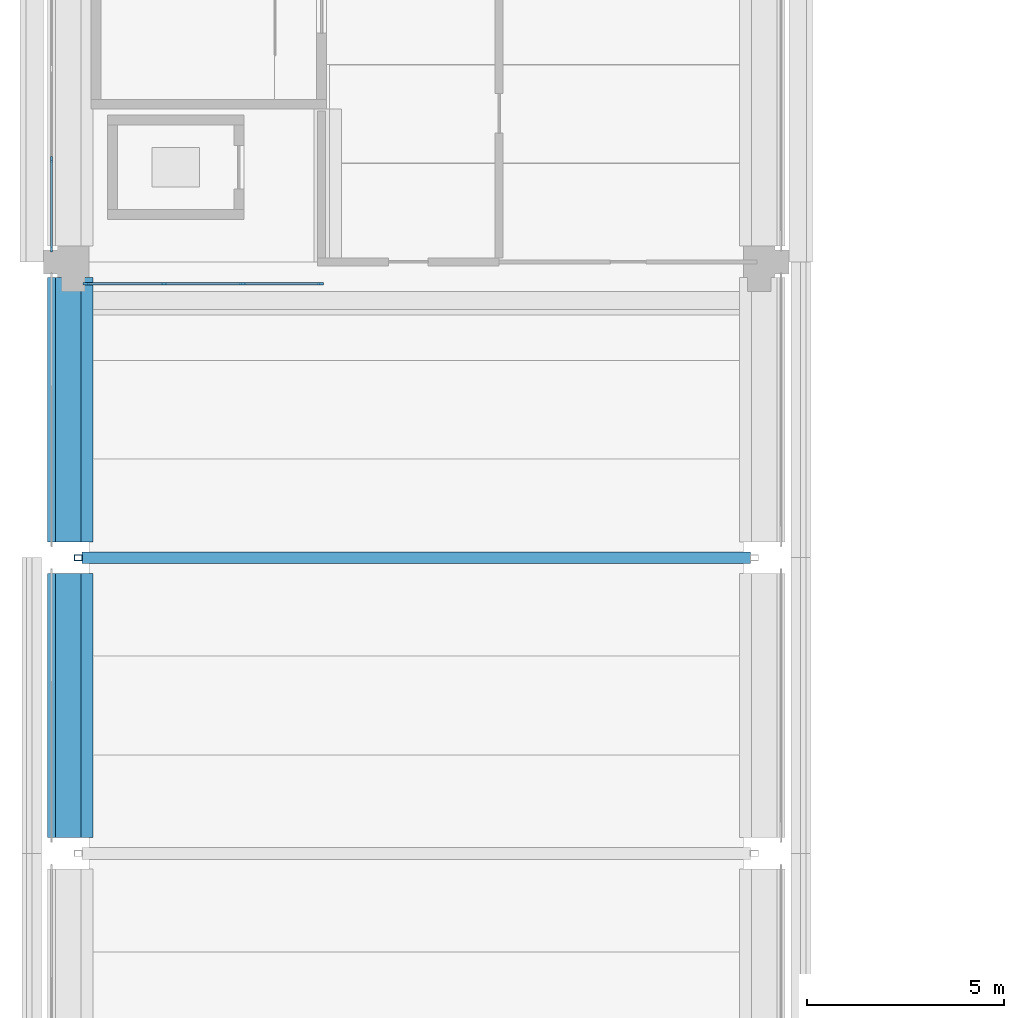
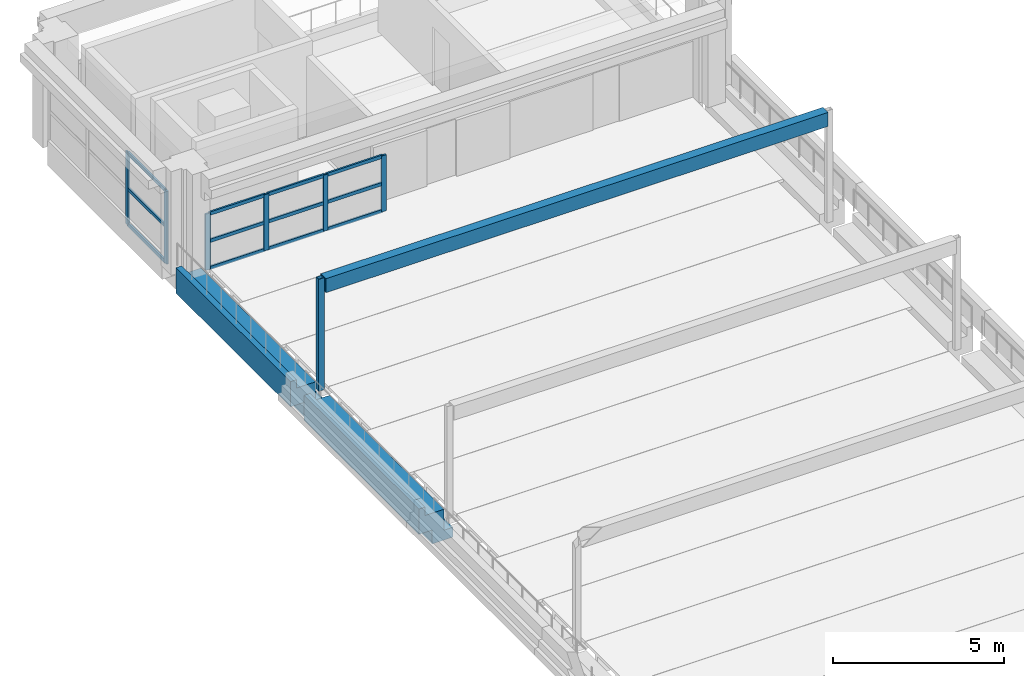
# One storey, part 20 of 62: 19 members, 3 beams, 2 elements without a shape of their own.
"""IFC4 building model written with IfcOpenShell, lengths in metres."""

from ifc_helpers import new_model, si_unit, direction, frame, origin, origin_2d, place, context, subcontext, project, spatial, polyline, rectangle, hollow_rectangle, outline, extrude, material, layer, layer_set, material_profile, profile_set, type_object, element, aggregate, save


model = new_model("IFC4")

# Units and contexts
model_context = context("Model", 3, precision=1e-05, world=origin(), true_north=direction((0.0, 1.0)))
body_context = subcontext(model_context, "Body", "Model", "MODEL_VIEW")
ifc_project = project(units=[si_unit("LENGTHUNIT", "METRE"), si_unit("AREAUNIT", "SQUARE_METRE"), si_unit("VOLUMEUNIT", "CUBIC_METRE"), si_unit("PLANEANGLEUNIT", "RADIAN"), si_unit("MASSUNIT", "GRAM", prefix="KILO")], contexts=[model_context])

# Site, building, storey
site_placement = place(None, origin())
site = spatial("IfcSite", under=ifc_project, at=site_placement, CompositionType="ELEMENT")
building_placement = place(site_placement, origin())
building = spatial("IfcBuilding", under=site, at=building_placement, Name="Cour d'Honneur Mobility Palace", CompositionType="ELEMENT")
storey_placement = place(building_placement, frame((0.0, 0.0, 19.300048828125)))
storey = spatial("IfcBuildingStorey", under=building, at=storey_placement, Name="L05", CompositionType="ELEMENT", Elevation=19.300048828125)

# Curtain wall, members
ifc_material_1 = material(Name="Aluminium and glass", Category="aluminium")
ifc_layer = layer(ifc_material_1, 0.10009765625)
ifc_layer_set = layer_set([ifc_layer], Name="Aluminium and glass")
curtain_wall_type = type_object("IfcCurtainWallType", Name="Curtain wall run", PredefinedType="NOTDEFINED", material=ifc_layer_set)
curtain_wall_1_placement = place(storey_placement, origin())
curtain_wall_1 = element("IfcCurtainWall", 1, at=curtain_wall_1_placement, inside=storey, type_object=curtain_wall_type, Name="Curtain wall CW-133", PredefinedType="NOTDEFINED")
ifc_material_2 = material(Name="Aluminium", Category="aluminium")
ifc_material_profile_1 = material_profile(ifc_material_2, rectangle(XDim=0.06005859375, YDim=0.159912109375, at=origin_2d()), Name="Curtain wall mullion")
ifc_profile_set_1 = profile_set([ifc_material_profile_1], Name="Aluminium")
member_type_1 = type_object("IfcMemberType", Name="Curtain wall mullion", PredefinedType="MULLION", material=ifc_profile_set_1)
member_1_placement = place(storey_placement, frame((-0.550048828125, 110.0, 0.0), z_axis=(0.0, 0.0, 1.0), x_axis=(1.0, 0.0, 0.0)))
member_1 = element("IfcMember", 2, at=member_1_placement, type_object=member_type_1, Name="CW-133 mullion 3", PredefinedType="MULLION", context=body_context, shape_type="SweptSolid", body=[
    extrude(rectangle(XDim=0.06005859375, YDim=0.159912109375, at=origin_2d()), origin(), (0.0, 0.0, 1.0), 2.599853515625),
])
member_2_placement = place(storey_placement, frame((-0.550048828125, 107.72998046875, 0.0), z_axis=(0.0, 0.0, 1.0), x_axis=(1.0, 0.0, 0.0)))
member_2 = element("IfcMember", 3, at=member_2_placement, type_object=member_type_1, Name="CW-133 mullion 4", PredefinedType="MULLION", context=body_context, shape_type="SweptSolid", body=[
    extrude(rectangle(XDim=0.06005859375, YDim=0.159912109375, at=origin_2d()), origin(), (0.0, 0.0, 1.0), 2.599853515625),
])

curtain_wall_2_placement = place(storey_placement, origin())
curtain_wall_2 = element("IfcCurtainWall", 4, at=curtain_wall_2_placement, inside=storey, type_object=curtain_wall_type, Name="Curtain wall CW-134", PredefinedType="NOTDEFINED")
member_3_placement = place(storey_placement, frame((0.330078125, 106.85009765625, 0.0), z_axis=(0.0, 0.0, 1.0), x_axis=(0.0, 1.0, 0.0)))
member_3 = element("IfcMember", 5, at=member_3_placement, type_object=member_type_1, Name="CW-134 mullion 1", PredefinedType="MULLION", context=body_context, shape_type="SweptSolid", body=[
    extrude(rectangle(XDim=0.06005859375, YDim=0.159912109375, at=origin_2d()), origin(), (0.0, 0.0, 1.0), 2.0),
])
member_4_placement = place(storey_placement, frame((2.300048828125, 106.85009765625, 0.0), z_axis=(0.0, 0.0, 1.0), x_axis=(0.0, 1.0, 0.0)))
member_4 = element("IfcMember", 6, at=member_4_placement, type_object=member_type_1, Name="CW-134 mullion 2", PredefinedType="MULLION", context=body_context, shape_type="SweptSolid", body=[
    extrude(rectangle(XDim=0.06005859375, YDim=0.159912109375, at=origin_2d()), origin(), (0.0, 0.0, 1.0), 2.0),
])
member_5_placement = place(storey_placement, frame((4.300048828125, 106.85009765625, 0.0), z_axis=(0.0, 0.0, 1.0), x_axis=(0.0, 1.0, 0.0)))
member_5 = element("IfcMember", 7, at=member_5_placement, type_object=member_type_1, Name="CW-134 mullion 3", PredefinedType="MULLION", context=body_context, shape_type="SweptSolid", body=[
    extrude(rectangle(XDim=0.06005859375, YDim=0.159912109375, at=origin_2d()), origin(), (0.0, 0.0, 1.0), 2.0),
])
member_6_placement = place(storey_placement, frame((6.27001953125, 106.85009765625, 0.0), z_axis=(0.0, 0.0, 1.0), x_axis=(0.0, 1.0, 0.0)))
member_6 = element("IfcMember", 8, at=member_6_placement, type_object=member_type_1, Name="CW-134 mullion 4", PredefinedType="MULLION", context=body_context, shape_type="SweptSolid", body=[
    extrude(rectangle(XDim=0.06005859375, YDim=0.159912109375, at=origin_2d()), origin(), (0.0, 0.0, 1.0), 2.0),
])

# Member
ifc_material_3 = material(Name="Aluminium", Category="aluminium")
ifc_material_profile_2 = material_profile(ifc_material_3, rectangle(XDim=0.06005859375, YDim=0.1201171875, at=origin_2d()), Name="Curtain wall transom")
ifc_profile_set_2 = profile_set([ifc_material_profile_2], Name="Aluminium")
member_type_2 = type_object("IfcMemberType", Name="Curtain wall transom", PredefinedType="USERDEFINED", material=ifc_profile_set_2)
member_7_placement = place(storey_placement, frame((-0.550048828125, 109.969970703125, 0.030029296875), z_axis=(0.0, -1.0, 0.0), x_axis=(1.0, 0.0, 0.0)))
member_7 = element("IfcMember", 9, at=member_7_placement, type_object=member_type_2, Name="CW-133 transom 3.1", ObjectType="TRANSOM", PredefinedType="USERDEFINED", context=body_context, shape_type="SweptSolid", body=[
    extrude(rectangle(XDim=0.06005859375, YDim=0.1201171875, at=origin_2d()), origin(), (0.0, 0.0, 1.0), 2.2099609375),
])

member_8_placement = place(storey_placement, frame((-0.550048828125, 109.969970703125, 1.300048828125), z_axis=(0.0, -1.0, 0.0), x_axis=(1.0, 0.0, 0.0)))
member_8 = element("IfcMember", 10, at=member_8_placement, type_object=member_type_2, Name="CW-133 transom 3.2", ObjectType="TRANSOM", PredefinedType="USERDEFINED", context=body_context, shape_type="SweptSolid", body=[
    extrude(rectangle(XDim=0.06005859375, YDim=0.1201171875, at=origin_2d()), origin(), (0.0, 0.0, 1.0), 2.2099609375),
])

member_9_placement = place(storey_placement, frame((-0.550048828125, 109.969970703125, 2.570068359375), z_axis=(0.0, -1.0, 0.0), x_axis=(1.0, 0.0, 0.0)))
member_9 = element("IfcMember", 11, at=member_9_placement, type_object=member_type_2, Name="CW-133 transom 3.3", ObjectType="TRANSOM", PredefinedType="USERDEFINED", context=body_context, shape_type="SweptSolid", body=[
    extrude(rectangle(XDim=0.06005859375, YDim=0.1201171875, at=origin_2d()), origin(), (0.0, 0.0, 1.0), 2.2099609375),
])

aggregate(curtain_wall_1, [member_1, member_2, member_7, member_8, member_9])

member_10_placement = place(storey_placement, frame((0.360107421875, 106.85009765625, 0.030029296875), z_axis=(1.0, 0.0, 0.0), x_axis=(0.0, 1.0, 0.0)))
member_10 = element("IfcMember", 12, at=member_10_placement, type_object=member_type_2, Name="CW-134 transom 1.1", ObjectType="TRANSOM", PredefinedType="USERDEFINED", context=body_context, shape_type="SweptSolid", body=[
    extrude(rectangle(XDim=0.06005859375, YDim=0.1201171875, at=origin_2d()), origin(), (0.0, 0.0, 1.0), 1.909912109375),
])

member_11_placement = place(storey_placement, frame((0.360107421875, 106.85009765625, 1.0), z_axis=(1.0, 0.0, 0.0), x_axis=(0.0, 1.0, 0.0)))
member_11 = element("IfcMember", 13, at=member_11_placement, type_object=member_type_2, Name="CW-134 transom 1.2", ObjectType="TRANSOM", PredefinedType="USERDEFINED", context=body_context, shape_type="SweptSolid", body=[
    extrude(rectangle(XDim=0.06005859375, YDim=0.1201171875, at=origin_2d()), origin(), (0.0, 0.0, 1.0), 1.909912109375),
])

member_12_placement = place(storey_placement, frame((0.360107421875, 106.85009765625, 1.969970703125), z_axis=(1.0, 0.0, 0.0), x_axis=(0.0, 1.0, 0.0)))
member_12 = element("IfcMember", 14, at=member_12_placement, type_object=member_type_2, Name="CW-134 transom 1.3", ObjectType="TRANSOM", PredefinedType="USERDEFINED", context=body_context, shape_type="SweptSolid", body=[
    extrude(rectangle(XDim=0.06005859375, YDim=0.1201171875, at=origin_2d()), origin(), (0.0, 0.0, 1.0), 1.909912109375),
])

member_13_placement = place(storey_placement, frame((2.330078125, 106.85009765625, 0.030029296875), z_axis=(1.0, 0.0, 0.0), x_axis=(0.0, 1.0, 0.0)))
member_13 = element("IfcMember", 15, at=member_13_placement, type_object=member_type_2, Name="CW-134 transom 2.1", ObjectType="TRANSOM", PredefinedType="USERDEFINED", context=body_context, shape_type="SweptSolid", body=[
    extrude(rectangle(XDim=0.06005859375, YDim=0.1201171875, at=origin_2d()), origin(), (0.0, 0.0, 1.0), 1.93994140625),
])

member_14_placement = place(storey_placement, frame((2.330078125, 106.85009765625, 1.0), z_axis=(1.0, 0.0, 0.0), x_axis=(0.0, 1.0, 0.0)))
member_14 = element("IfcMember", 16, at=member_14_placement, type_object=member_type_2, Name="CW-134 transom 2.2", ObjectType="TRANSOM", PredefinedType="USERDEFINED", context=body_context, shape_type="SweptSolid", body=[
    extrude(rectangle(XDim=0.06005859375, YDim=0.1201171875, at=origin_2d()), origin(), (0.0, 0.0, 1.0), 1.93994140625),
])

member_15_placement = place(storey_placement, frame((2.330078125, 106.85009765625, 1.969970703125), z_axis=(1.0, 0.0, 0.0), x_axis=(0.0, 1.0, 0.0)))
member_15 = element("IfcMember", 17, at=member_15_placement, type_object=member_type_2, Name="CW-134 transom 2.3", ObjectType="TRANSOM", PredefinedType="USERDEFINED", context=body_context, shape_type="SweptSolid", body=[
    extrude(rectangle(XDim=0.06005859375, YDim=0.1201171875, at=origin_2d()), origin(), (0.0, 0.0, 1.0), 1.93994140625),
])

member_16_placement = place(storey_placement, frame((4.330078125, 106.85009765625, 0.030029296875), z_axis=(1.0, 0.0, 0.0), x_axis=(0.0, 1.0, 0.0)))
member_16 = element("IfcMember", 18, at=member_16_placement, type_object=member_type_2, Name="CW-134 transom 3.1", ObjectType="TRANSOM", PredefinedType="USERDEFINED", context=body_context, shape_type="SweptSolid", body=[
    extrude(rectangle(XDim=0.06005859375, YDim=0.1201171875, at=origin_2d()), origin(), (0.0, 0.0, 1.0), 1.909912109375),
])

member_17_placement = place(storey_placement, frame((4.330078125, 106.85009765625, 1.0), z_axis=(1.0, 0.0, 0.0), x_axis=(0.0, 1.0, 0.0)))
member_17 = element("IfcMember", 19, at=member_17_placement, type_object=member_type_2, Name="CW-134 transom 3.2", ObjectType="TRANSOM", PredefinedType="USERDEFINED", context=body_context, shape_type="SweptSolid", body=[
    extrude(rectangle(XDim=0.06005859375, YDim=0.1201171875, at=origin_2d()), origin(), (0.0, 0.0, 1.0), 1.909912109375),
])

member_18_placement = place(storey_placement, frame((4.330078125, 106.85009765625, 1.969970703125), z_axis=(1.0, 0.0, 0.0), x_axis=(0.0, 1.0, 0.0)))
member_18 = element("IfcMember", 20, at=member_18_placement, type_object=member_type_2, Name="CW-134 transom 3.3", ObjectType="TRANSOM", PredefinedType="USERDEFINED", context=body_context, shape_type="SweptSolid", body=[
    extrude(rectangle(XDim=0.06005859375, YDim=0.1201171875, at=origin_2d()), origin(), (0.0, 0.0, 1.0), 1.909912109375),
])

aggregate(curtain_wall_2, [member_3, member_4, member_5, member_6, member_10, member_11, member_12, member_13, member_14, member_15, member_16, member_17, member_18])

# Beams
ifc_material_4 = material(Name="Concrete C45", Category="concrete")
ifc_material_profile_3 = material_profile(ifc_material_4, outline(polyline([(0.199951171875, -1.10009765625), (0.199951171875, -0.60009765625), (0.64990234375, -0.60009765625), (0.64990234375, 0.300048828125), (0.449951171875, 0.300048828125), (0.449951171875, 0.0), (0.199951171875, 0.0), (-0.199951171875, 0.0), (-0.199951171875, -0.75), (-0.5, -0.75), (-0.5, -1.10009765625), (0.199951171875, -1.10009765625)])), Name="Ledger Beam 400x1100 ledge right 350 facade left")
ifc_profile_set_3 = profile_set([ifc_material_profile_3], Name="Concrete C45")
beam_type_1 = type_object("IfcBeamType", Name="Ledger Beam 400x1100 ledge right 350 facade left", PredefinedType="BEAM", material=ifc_profile_set_3)
for number, where, z_axis, x_axis, name in (
    (21, (0.0, 92.800048828125, 0.0), (0.0, 1.0, 0.0), (-1.0, 0.0, 0.0), "Precast beam B4 M-N L05"),
    (22, (0.0, 100.300048828125, 0.0), (0.0, 1.0, 0.0), (-1.0, 0.0, 0.0), "Precast beam B4 N-P L05"),
):
    element("IfcBeam", number, at=place(storey_placement, frame(where, z_axis=z_axis, x_axis=x_axis)), inside=storey, type_object=beam_type_1, Name=name, PredefinedType="BEAM", context=body_context, shape_type="SweptSolid", body=[
        extrude(outline(polyline([(0.199951171875, -1.10009765625), (0.199951171875, -0.60009765625), (0.64990234375, -0.60009765625), (0.64990234375, 0.300048828125), (0.449951171875, 0.300048828125), (0.449951171875, 0.0), (0.199951171875, 0.0), (-0.199951171875, 0.0), (-0.199951171875, -0.75), (-0.5, -0.75), (-0.5, -1.10009765625), (0.199951171875, -1.10009765625)])), origin(), (0.0, 0.0, 1.0), 6.699951171875),
    ])

# Member
ifc_material_5 = material(Name="Steel S355", Category="steel")
ifc_material_profile_4 = material_profile(ifc_material_5, hollow_rectangle(XDim=0.14990234375, YDim=0.199951171875, WallThickness=0.008056640625, at=origin_2d()), Name="RHS 200x150x8")
ifc_profile_set_4 = profile_set([ifc_material_profile_4], Name="Steel S355")
member_type_3 = type_object("IfcMemberType", Name="Terrace post RHS 200x150x8", PredefinedType="POST", material=ifc_profile_set_4)
member_19_placement = place(storey_placement, frame((0.125, 99.89990234375, 0.0), z_axis=(0.0, 0.0, 1.0), x_axis=(0.0, 1.0, 0.0)))
element("IfcMember", 23, at=member_19_placement, inside=storey, type_object=member_type_3, Name="Terrace post TP-C5W", PredefinedType="POST", context=body_context, shape_type="SweptSolid", body=[
    extrude(hollow_rectangle(XDim=0.14990234375, YDim=0.199951171875, WallThickness=0.008056640625, at=origin_2d()), origin(), (0.0, 0.0, 1.0), 4.0),
])

# Beam
ifc_material_6 = material(Name="Steel S355", Category="steel")
ifc_material_profile_5 = material_profile(ifc_material_6, hollow_rectangle(XDim=0.300048828125, YDim=0.5, WallThickness=0.01611328125, at=origin_2d()), Name="RHS 500x300x16")
ifc_profile_set_5 = profile_set([ifc_material_profile_5], Name="Steel S355")
beam_type_2 = type_object("IfcBeamType", Name="Terrace tie beam RHS 500x300x16", PredefinedType="BEAM", material=ifc_profile_set_5)
beam_placement = place(storey_placement, frame((0.22509765625, 99.89990234375, 3.75), z_axis=(1.0, 0.0, 0.0), x_axis=(0.0, 1.0, 0.0)))
element("IfcBeam", 24, at=beam_placement, inside=storey, type_object=beam_type_2, Name="Terrace tie beam TT-C5", PredefinedType="BEAM", context=body_context, shape_type="SweptSolid", body=[
    extrude(hollow_rectangle(XDim=0.300048828125, YDim=0.5, WallThickness=0.01611328125, at=origin_2d()), origin(), (0.0, 0.0, 1.0), 16.949951171875),
])

save(model, "model.ifc")
